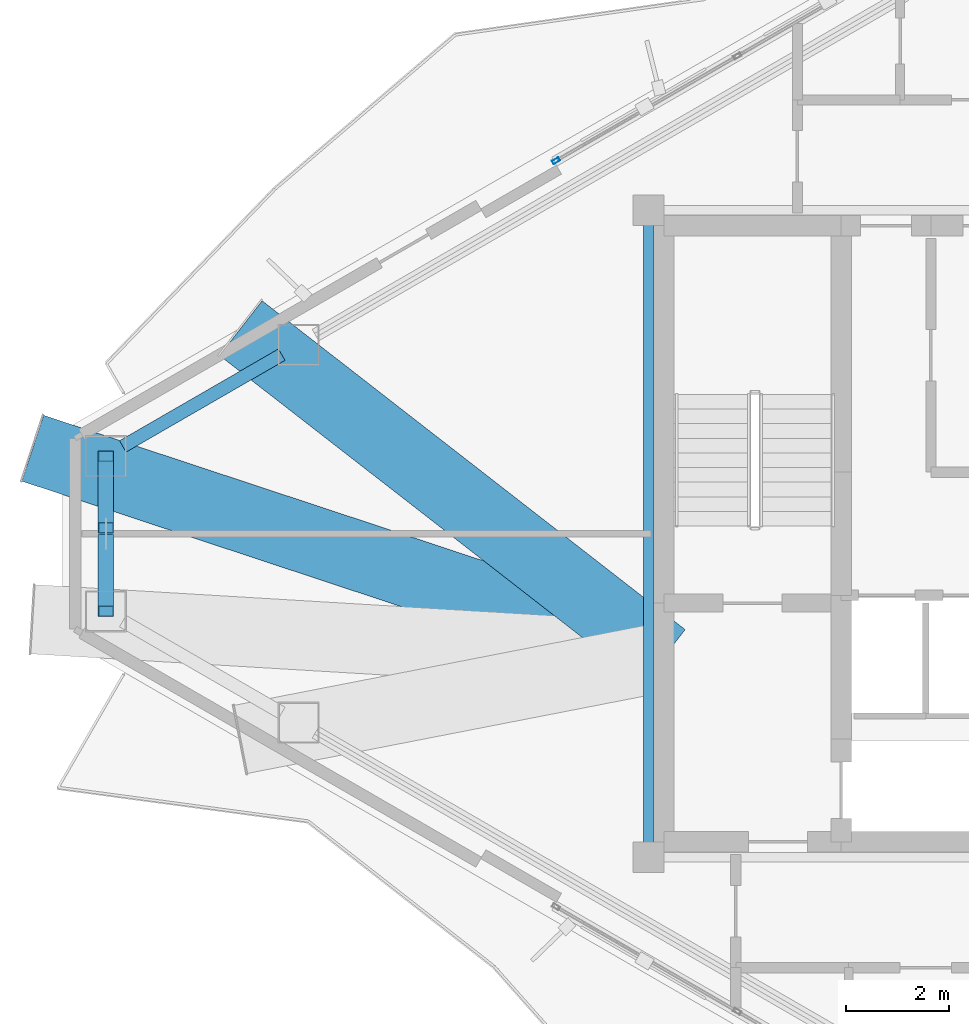
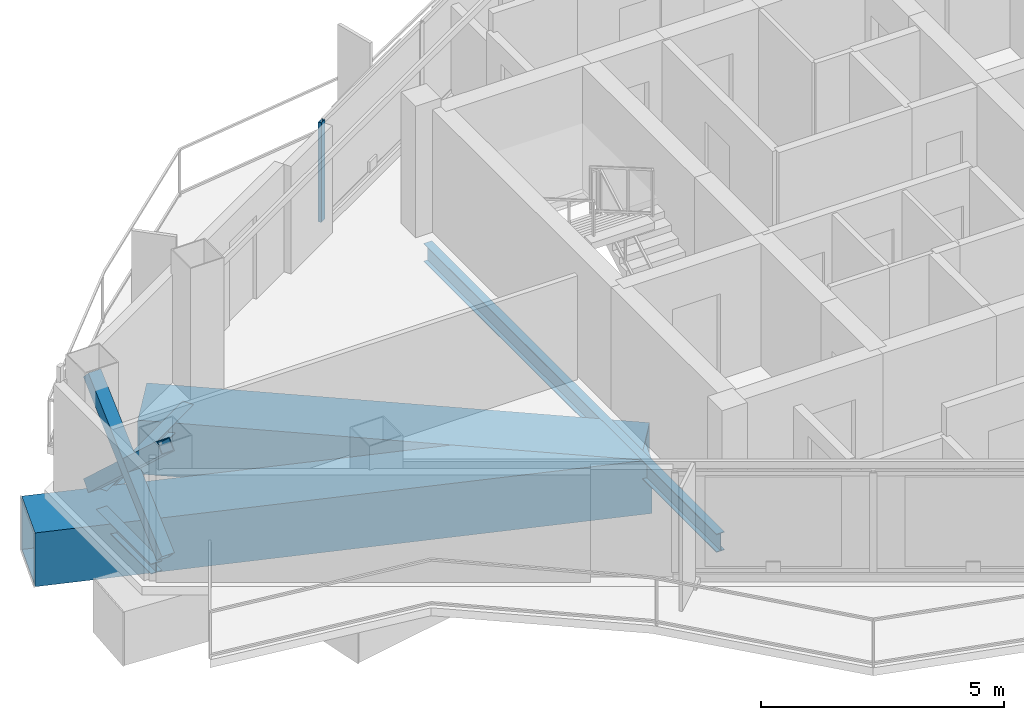
# One storey, part 7 of 17: 5 beams, 4 members, 1 element without a shape of its own.
"""IFC4 building model written with IfcOpenShell, lengths in metres."""

from ifc_helpers import new_model, si_unit, direction, frame, origin, origin_2d, place, context, subcontext, project, spatial, hollow_rectangle, i_section, extrude, material, layer, layer_set, material_profile, profile_set, type_object, element, aggregate, save


model = new_model("IFC4")

# Units and contexts
model_context = context("Model", 3, precision=1e-05, world=origin(), true_north=direction((0.0, 1.0)))
body_context = subcontext(model_context, "Body", "Model", "MODEL_VIEW")
ifc_project = project(units=[si_unit("LENGTHUNIT", "METRE"), si_unit("AREAUNIT", "SQUARE_METRE"), si_unit("VOLUMEUNIT", "CUBIC_METRE"), si_unit("PLANEANGLEUNIT", "RADIAN"), si_unit("MASSUNIT", "GRAM", prefix="KILO")], contexts=[model_context])

# Site, building, storey
site_placement = place(None, origin())
site = spatial("IfcSite", under=ifc_project, at=site_placement, CompositionType="ELEMENT")
building_placement = place(site_placement, origin())
building = spatial("IfcBuilding", under=site, at=building_placement, Name="Mersakhor Tower and Convention Hall", CompositionType="ELEMENT")
storey_placement = place(building_placement, frame((0.0, 0.0, 223.199951171875)))
storey = spatial("IfcBuildingStorey", under=building, at=storey_placement, Name="L62", CompositionType="ELEMENT", Elevation=223.199951171875)

# Beams
ifc_material_1 = material(Name="Steel S355", Category="steel")
ifc_material_profile_1 = material_profile(ifc_material_1, i_section(OverallWidth=0.19140625, OverallDepth=0.4599609375, WebThickness=0.010009765625, FlangeThickness=0.01611328125, at=origin_2d()), Name="UB 457x191x82")
ifc_profile_set_1 = profile_set([ifc_material_profile_1], Name="Steel S355")
beam_type_1 = type_object("IfcBeamType", Name="BM-FB-457", PredefinedType="BEAM", material=ifc_profile_set_1)
beam_1_placement = place(storey_placement, frame((21.89990234375, 20.72998046875, -0.449951171875), z_axis=(0.0, 1.0, 0.0), x_axis=(-1.0, 0.0, 0.0)))
element("IfcBeam", 1, at=beam_1_placement, inside=storey, type_object=beam_type_1, Name="L62 Core Ring Tie Beam CRB-1", PredefinedType="BEAM", context=body_context, shape_type="SweptSolid", body=[
    extrude(i_section(OverallWidth=0.19140625, OverallDepth=0.4599609375, WebThickness=0.010009765625, FlangeThickness=0.01611328125, at=origin_2d()), origin(), (0.0, 0.0, 1.0), 12.0400390625),
])
ifc_material_2 = material(Name="Steel S355", Category="steel")
ifc_material_profile_2 = material_profile(ifc_material_2, i_section(OverallWidth=0.25634765625, OverallDepth=0.26025390625, WebThickness=0.01025390625, FlangeThickness=0.017333984375, at=origin_2d()), Name="UC 254x254x89")
ifc_profile_set_2 = profile_set([ifc_material_profile_2], Name="Steel S355")
beam_type_2 = type_object("IfcBeamType", Name="BM-SPD-UC254", PredefinedType="SPANDREL", material=ifc_profile_set_2)
beam_2_placement = place(storey_placement, frame((11.6611328125, 28.451416015625, -0.35009765625), z_axis=(0.866032030752, 0.499988521579, 0.0), x_axis=(-0.499988521579, 0.866032030752, 0.0)))
element("IfcBeam", 2, at=beam_2_placement, inside=storey, type_object=beam_type_2, Name="L62 Perimeter Spandrel Beam SPB-01", PredefinedType="SPANDREL", context=body_context, shape_type="SweptSolid", body=[
    extrude(i_section(OverallWidth=0.25634765625, OverallDepth=0.26025390625, WebThickness=0.01025390625, FlangeThickness=0.017333984375, at=origin_2d()), origin(), (0.0, 0.0, 1.0), 3.57421875),
])
beam_3_placement = place(storey_placement, frame((11.33203125, 25.61865234375, -0.35009765625), z_axis=(0.0, 1.0, 0.0), x_axis=(-1.0, 0.0, 0.0)))
element("IfcBeam", 3, at=beam_3_placement, inside=storey, type_object=beam_type_2, Name="L62 Perimeter Spandrel Beam SPB-12", PredefinedType="SPANDREL", context=body_context, shape_type="SweptSolid", body=[
    extrude(i_section(OverallWidth=0.25634765625, OverallDepth=0.26025390625, WebThickness=0.01025390625, FlangeThickness=0.017333984375, at=origin_2d()), origin(), (0.0, 0.0, 1.0), 2.2626953125),
])
ifc_material_3 = material(Name="Steel S460", Category="steel")
ifc_material_profile_3 = material_profile(ifc_material_3, hollow_rectangle(XDim=1.35009765625, YDim=1.35009765625, WallThickness=0.035888671875, at=origin_2d()), Name="SHS 1350x1350x36")
ifc_profile_set_3 = profile_set([ifc_material_profile_3], Name="Steel S460")
beam_type_3 = type_object("IfcBeamType", Name="BM-TR-BOX1350", PredefinedType="BEAM", material=ifc_profile_set_3)
beam_4_placement = place(storey_placement, frame((9.907470703125, 28.415283203125, -0.89501953125), z_axis=(0.949429246356, -0.3139810602, 0.0), x_axis=(0.3139810602, 0.949429246356, 0.0)))
element("IfcBeam", 4, at=beam_4_placement, inside=storey, type_object=beam_type_3, Name="L62 Taper Step Transfer Girder STG-01", PredefinedType="BEAM", context=body_context, shape_type="SweptSolid", body=[
    extrude(hollow_rectangle(XDim=1.35009765625, YDim=1.35009765625, WallThickness=0.035888671875, at=origin_2d()), origin(), (0.0, 0.0, 1.0), 12.947265625),
])
beam_5_placement = place(storey_placement, frame((13.959716796875, 30.7548828125, -0.89501953125), z_axis=(0.789551193994, -0.613684700854, 0.0), x_axis=(0.613684700854, 0.789551193994, 0.0)))
element("IfcBeam", 5, at=beam_5_placement, inside=storey, type_object=beam_type_3, Name="L62 Taper Step Transfer Girder STG-02", PredefinedType="BEAM", context=body_context, shape_type="SweptSolid", body=[
    extrude(hollow_rectangle(XDim=1.35009765625, YDim=1.35009765625, WallThickness=0.035888671875, at=origin_2d()), origin(), (0.0, 0.0, 1.0), 10.4365234375),
])

# Curtain wall, member
ifc_material_4 = material(Name="Dark solar low-E aluminium curtain wall", Category="aluminium")
ifc_layer = layer(ifc_material_4, 0.179931640625)
ifc_layer_set = layer_set([ifc_layer], Name="Dark solar low-E aluminium curtain wall")
curtain_wall_type = type_object("IfcCurtainWallType", Name="CW-SYS-03", PredefinedType="USERDEFINED", material=ifc_layer_set)
curtain_wall_placement = place(storey_placement, origin())
curtain_wall = element("IfcCurtainWall", 6, at=curtain_wall_placement, inside=storey, type_object=curtain_wall_type, Name="L62 Dark-Glass Curtain Wall F1-B2", ObjectType="CURTAIN WALL", PredefinedType="USERDEFINED")
ifc_material_5 = material(Name="Anodised aluminium EN AW-6063 T6", Category="aluminium")
ifc_material_profile_4 = material_profile(ifc_material_5, hollow_rectangle(XDim=0.074951171875, YDim=0.14990234375, WallThickness=0.00634765625, at=origin_2d()), Name="RHS 150x75x6.3")
ifc_profile_set_4 = profile_set([ifc_material_profile_4], Name="Anodised aluminium EN AW-6063 T6")
member_type_1 = type_object("IfcMemberType", Name="CWM-150x75", PredefinedType="MULLION", material=ifc_profile_set_4)
member_1_placement = place(storey_placement, frame((20.098388671875, 34.015380859375, 0.199951171875), z_axis=(0.0, 0.0, 1.0), x_axis=(-0.500004411169, 0.86602285698, 0.0)))
member_1 = element("IfcMember", 7, at=member_1_placement, type_object=member_type_1, Name="CW-03 mullion 1", PredefinedType="MULLION", context=body_context, shape_type="SweptSolid", body=[
    extrude(hollow_rectangle(XDim=0.074951171875, YDim=0.14990234375, WallThickness=0.00634765625, at=origin_2d()), origin(), (0.0, 0.0, 1.0), 2.5),
])
aggregate(curtain_wall, [member_1])

# Members
ifc_material_6 = material(Name="Steel S355", Category="steel")
ifc_material_profile_5 = material_profile(ifc_material_6, hollow_rectangle(XDim=0.300048828125, YDim=0.300048828125, WallThickness=0.01611328125, at=origin_2d()), Name="SHS 300x300x16")
ifc_profile_set_5 = profile_set([ifc_material_profile_5], Name="Steel S355")
member_type_2 = type_object("IfcMemberType", Name="MB-BRC-SHS300", PredefinedType="BRACE", material=ifc_profile_set_5)
member_2_placement = place(storey_placement, frame((11.33203125, 25.23876953125, 0.150146484375), z_axis=(0.0, 0.736037648473, 0.67694060303), x_axis=(-1.0, 0.0, 0.0)))
element("IfcMember", 8, at=member_2_placement, inside=storey, type_object=member_type_2, Name="L62 Chamfer Braced Frame Diagonal CB-3A", PredefinedType="BRACE", context=body_context, shape_type="SweptSolid", body=[
    extrude(hollow_rectangle(XDim=0.300048828125, YDim=0.300048828125, WallThickness=0.01611328125, at=origin_2d()), origin(), (0.0, 0.0, 1.0), 4.1064453125),
])
member_3_placement = place(storey_placement, frame((11.33203125, 28.26123046875, 0.150146484375), z_axis=(0.0, -0.735997778537, 0.676983951057), x_axis=(1.0, 0.0, 0.0)))
element("IfcMember", 9, at=member_3_placement, inside=storey, type_object=member_type_2, Name="L62 Chamfer Braced Frame Diagonal CB-3B Lower Half", PredefinedType="BRACE", context=body_context, shape_type="SweptSolid", body=[
    extrude(hollow_rectangle(XDim=0.300048828125, YDim=0.300048828125, WallThickness=0.01611328125, at=origin_2d()), origin(), (0.0, 0.0, 1.0), 1.894775390625),
])
member_4_placement = place(storey_placement, frame((11.33203125, 26.63330078125, 1.6474609375), z_axis=(0.0, -0.736061982033, 0.676914144191), x_axis=(1.0, 0.0, 0.0)))
element("IfcMember", 10, at=member_4_placement, inside=storey, type_object=member_type_2, Name="L62 Chamfer Braced Frame Diagonal CB-3B Upper Half", PredefinedType="BRACE", context=body_context, shape_type="SweptSolid", body=[
    extrude(hollow_rectangle(XDim=0.300048828125, YDim=0.300048828125, WallThickness=0.01611328125, at=origin_2d()), origin(), (0.0, 0.0, 1.0), 1.89453125),
])

save(model, "model.ifc")
